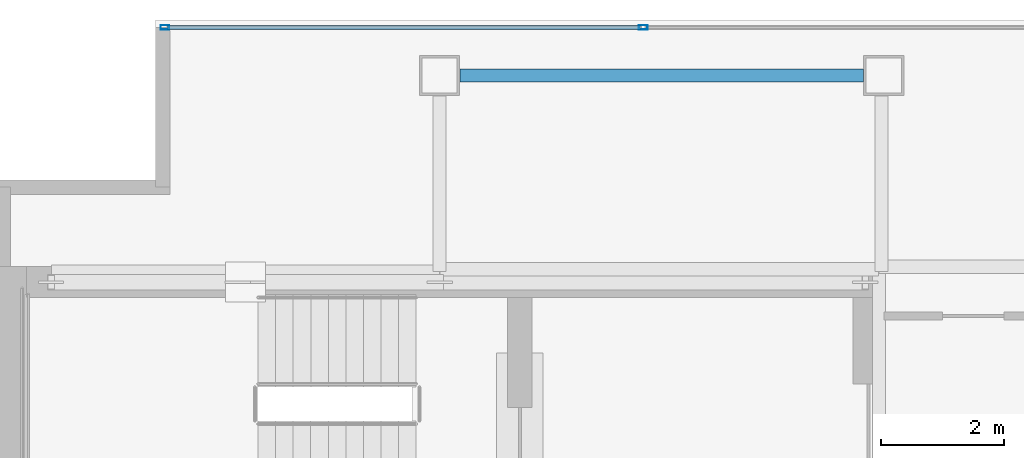
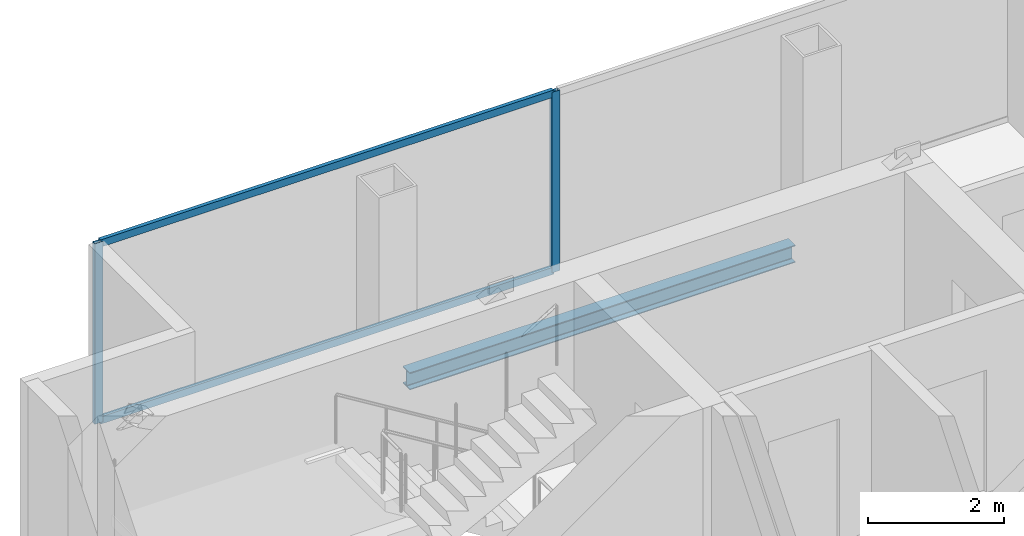
# One storey, part 17 of 23: 4 members, 1 beam, 1 element without a shape of its own.
"""IFC4 building model written with IfcOpenShell, lengths in metres."""

from ifc_helpers import new_model, si_unit, direction, frame, origin, origin_2d, place, context, subcontext, project, spatial, hollow_rectangle, i_section, extrude, material, material_profile, profile_set, type_object, element, aggregate, save


model = new_model("IFC4")

# Units and contexts
model_context = context("Model", 3, precision=1e-05, world=origin(), true_north=direction((0.0, 1.0)))
body_context = subcontext(model_context, "Body", "Model", "MODEL_VIEW")
ifc_project = project(units=[si_unit("LENGTHUNIT", "METRE"), si_unit("AREAUNIT", "SQUARE_METRE"), si_unit("VOLUMEUNIT", "CUBIC_METRE"), si_unit("PLANEANGLEUNIT", "RADIAN"), si_unit("MASSUNIT", "GRAM", prefix="KILO")], contexts=[model_context])

# Site, building, storey
site_placement = place(None, origin())
site = spatial("IfcSite", under=ifc_project, at=site_placement, CompositionType="ELEMENT")
building_placement = place(site_placement, origin())
building = spatial("IfcBuilding", under=site, at=building_placement, Name="Cobrela Telecom Tower", CompositionType="ELEMENT")
storey_placement = place(building_placement, frame((0.0, 0.0, 265.64990234375)))
storey = spatial("IfcBuildingStorey", under=building, at=storey_placement, Name="L69", CompositionType="ELEMENT", Elevation=265.64990234375)

# Beam
ifc_material_1 = material(Name="Steel ASTM A992 Grade 50", Category="steel")
ifc_material_profile_1 = material_profile(ifc_material_1, i_section(OverallWidth=0.205078125, OverallDepth=0.31005859375, WebThickness=0.009521484375, FlangeThickness=0.016357421875, FilletRadius=0.010986328125, at=origin_2d()), Name="W12X50")
ifc_profile_set_1 = profile_set([ifc_material_profile_1], Name="Steel ASTM A992 Grade 50")
beam_type = type_object("IfcBeamType", Name="BM-SPAND-07", PredefinedType="SPANDREL", material=ifc_profile_set_1)
beam_placement = place(storey_placement, frame((7.530029296875, 39.10009765625, -0.414794921875), z_axis=(1.0, 0.0, 0.0), x_axis=(0.0, 1.0, 0.0)))
element("IfcBeam", 1, at=beam_placement, inside=storey, type_object=beam_type, Name="L69 Perimeter Spandrel X19", PredefinedType="SPANDREL", context=body_context, shape_type="SweptSolid", body=[
    extrude(i_section(OverallWidth=0.205078125, OverallDepth=0.31005859375, WebThickness=0.009521484375, FlangeThickness=0.016357421875, FilletRadius=0.010986328125, at=origin_2d()), origin(), (0.0, 0.0, 1.0), 6.5400390625),
])

# Curtain wall, members
ifc_material_2 = material(Name="Anodized Bronze Aluminium 6063-T6", Category="aluminium")
curtain_wall_type = type_object("IfcCurtainWallType", Name="CW-SYS-OFF-HI", PredefinedType="USERDEFINED", material=ifc_material_2)
curtain_wall_placement = place(storey_placement, origin())
curtain_wall = element("IfcCurtainWall", 2, at=curtain_wall_placement, inside=storey, type_object=curtain_wall_type, Name="L69 Unitised Bronze Curtain Wall 05", ObjectType="UNITISED CURTAIN WALL", PredefinedType="USERDEFINED")
ifc_material_profile_2 = material_profile(ifc_material_2, hollow_rectangle(XDim=0.070068359375, YDim=0.139892578125, WallThickness=0.00390625, at=origin_2d()), Name="ALU 70x140x4")
ifc_profile_set_2 = profile_set([ifc_material_profile_2], Name="Anodized Bronze Aluminium 6063-T6")
member_type_1 = type_object("IfcMemberType", Name="CW-SYS-OFF-HI-MUL", PredefinedType="MULLION", material=ifc_profile_set_2)
member_1_placement = place(storey_placement, frame((2.7451171875, 39.8798828125, 0.0), z_axis=(0.0, 0.0, 1.0), x_axis=(0.0, 1.0, 0.0)))
member_1 = element("IfcMember", 3, at=member_1_placement, type_object=member_type_1, Name="CW-OFF-HI mullion 1", PredefinedType="MULLION", context=body_context, shape_type="SweptSolid", body=[
    extrude(hollow_rectangle(XDim=0.070068359375, YDim=0.139892578125, WallThickness=0.00390625, at=origin_2d()), origin(), (0.0, 0.0, 1.0), 3.239990234375),
])
member_2_placement = place(storey_placement, frame((10.5, 39.8798828125, 0.0), z_axis=(0.0, 0.0, 1.0), x_axis=(0.0, 1.0, 0.0)))
member_2 = element("IfcMember", 4, at=member_2_placement, type_object=member_type_1, Name="CW-OFF-HI mullion 2", PredefinedType="MULLION", context=body_context, shape_type="SweptSolid", body=[
    extrude(hollow_rectangle(XDim=0.070068359375, YDim=0.139892578125, WallThickness=0.00390625, at=origin_2d()), origin(), (0.0, 0.0, 1.0), 3.239990234375),
])
ifc_material_profile_3 = material_profile(ifc_material_2, hollow_rectangle(XDim=0.06494140625, YDim=0.1298828125, WallThickness=0.00390625, at=origin_2d()), Name="ALU 65x130x4")
ifc_profile_set_3 = profile_set([ifc_material_profile_3], Name="Anodized Bronze Aluminium 6063-T6")
member_type_2 = type_object("IfcMemberType", Name="CW-SYS-OFF-HI-TRN", PredefinedType="USERDEFINED", material=ifc_profile_set_3)
member_3_placement = place(storey_placement, frame((2.780029296875, 39.8798828125, 0.03271484375), z_axis=(1.0, 0.0, 0.0), x_axis=(0.0, 1.0, 0.0)))
member_3 = element("IfcMember", 5, at=member_3_placement, type_object=member_type_2, Name="CW-OFF-HI transom 1.1", ObjectType="TRANSOM", PredefinedType="USERDEFINED", context=body_context, shape_type="SweptSolid", body=[
    extrude(hollow_rectangle(XDim=0.06494140625, YDim=0.1298828125, WallThickness=0.00390625, at=origin_2d()), origin(), (0.0, 0.0, 1.0), 7.68505859375),
])
member_4_placement = place(storey_placement, frame((2.780029296875, 39.8798828125, 3.20751953125), z_axis=(1.0, 0.0, 0.0), x_axis=(0.0, 1.0, 0.0)))
member_4 = element("IfcMember", 6, at=member_4_placement, type_object=member_type_2, Name="CW-OFF-HI transom 1.2", ObjectType="TRANSOM", PredefinedType="USERDEFINED", context=body_context, shape_type="SweptSolid", body=[
    extrude(hollow_rectangle(XDim=0.06494140625, YDim=0.1298828125, WallThickness=0.00390625, at=origin_2d()), origin(), (0.0, 0.0, 1.0), 7.68505859375),
])
aggregate(curtain_wall, [member_1, member_2, member_3, member_4])

save(model, "model.ifc")
